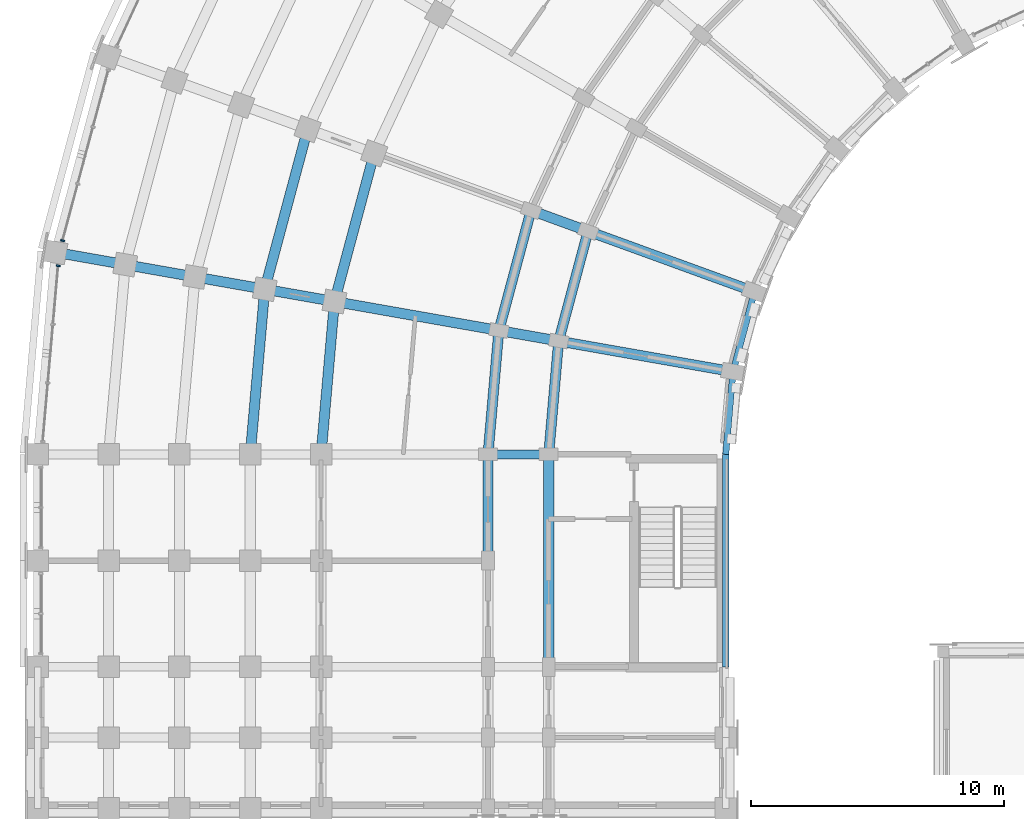
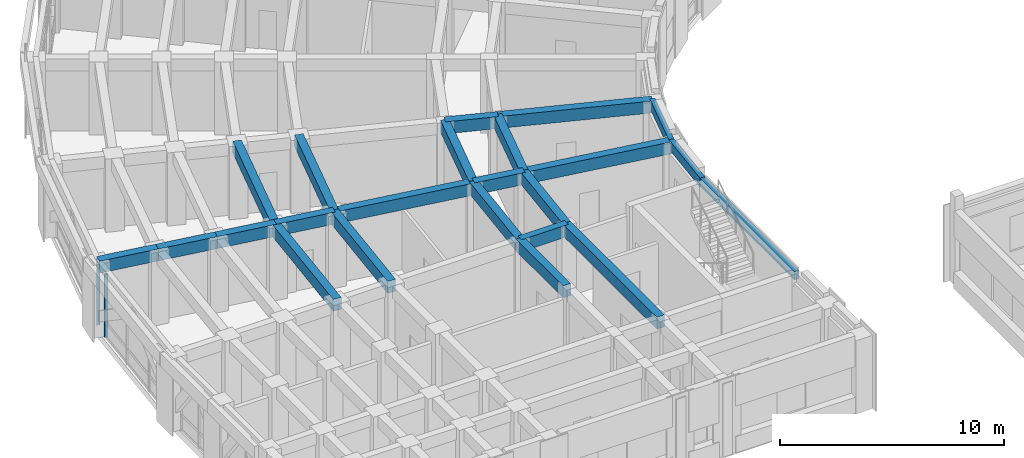
# One storey, part 19 of 97: 23 beams, 2 members, 2 elements without a shape of their own.
"""IFC4 building model written with IfcOpenShell, lengths in metres."""

from ifc_helpers import new_model, si_unit, direction, frame, origin, origin_2d, place, context, subcontext, project, spatial, rectangle, extrude, material, material_profile, profile_set, type_object, element, aggregate, save


model = new_model("IFC4")

# Units and contexts
model_context = context("Model", 3, precision=1e-05, world=origin(), true_north=direction((0.0, 1.0)))
body_context = subcontext(model_context, "Body", "Model", "MODEL_VIEW")
ifc_project = project(units=[si_unit("LENGTHUNIT", "METRE"), si_unit("AREAUNIT", "SQUARE_METRE"), si_unit("VOLUMEUNIT", "CUBIC_METRE"), si_unit("PLANEANGLEUNIT", "RADIAN"), si_unit("MASSUNIT", "GRAM", prefix="KILO")], contexts=[model_context])

# Site, building, storey
site_placement = place(None, origin())
site = spatial("IfcSite", under=ifc_project, at=site_placement, CompositionType="ELEMENT")
building_placement = place(site_placement, origin())
building = spatial("IfcBuilding", under=site, at=building_placement, Name="Kiranvali Square Residences", CompositionType="ELEMENT")
storey_placement = place(building_placement, frame((0.0, 0.0, 4.5)))
storey = spatial("IfcBuildingStorey", under=building, at=storey_placement, Name="L01", CompositionType="ELEMENT", Elevation=4.5)

# Beams
ifc_material_1 = material(Name="Concrete M40 (40 MPa)", Category="concrete")
ifc_material_profile_1 = material_profile(ifc_material_1, rectangle(XDim=0.35009765625, YDim=0.64990234375, at=origin_2d()), Name="RC 350x650")
ifc_profile_set_1 = profile_set([ifc_material_profile_1], Name="Concrete M40 (40 MPa)")
beam_type_1 = type_object("IfcBeamType", Name="BM-M40-350x650", PredefinedType="BEAM", material=ifc_profile_set_1)
beam_1_placement = place(storey_placement, frame((22.39990234375, 87.800048828125, 3.655029296875), z_axis=(-1.0, 0.0, 0.0), x_axis=(0.0, -1.0, 0.0)))
element("IfcBeam", 1, at=beam_1_placement, inside=storey, type_object=beam_type_1, Name="L01 beam BM-A-L01-A2T0-12", PredefinedType="BEAM", context=body_context, shape_type="SweptSolid", body=[
    extrude(rectangle(XDim=0.35009765625, YDim=0.64990234375, at=origin_2d()), origin(), (0.0, 0.0, 1.0), 2.39990234375),
])
ifc_material_2 = material(Name="Concrete M45 (45 MPa)", Category="concrete")
ifc_material_profile_2 = material_profile(ifc_material_2, rectangle(XDim=0.39990234375, YDim=0.64990234375, at=origin_2d()), Name="RC 400x650")
ifc_profile_set_2 = profile_set([ifc_material_profile_2], Name="Concrete M45 (45 MPa)")
beam_type_2 = type_object("IfcBeamType", Name="BM-M45-400x650", PredefinedType="BEAM", material=ifc_profile_set_2)
beam_2_placement = place(storey_placement, frame((23.955810546875, 96.6240234375, 3.655029296875), z_axis=(-0.258787642463, -0.965934240054, 0.0), x_axis=(0.965934240054, -0.258787642463, 0.0)))
element("IfcBeam", 2, at=beam_2_placement, inside=storey, type_object=beam_type_2, Name="L01 beam BM-A-L01-C07-R1", PredefinedType="BEAM", context=body_context, shape_type="SweptSolid", body=[
    extrude(rectangle(XDim=0.39990234375, YDim=0.64990234375, at=origin_2d()), origin(), (0.0, 0.0, 1.0), 4.497314453125),
])
beam_3_placement = place(storey_placement, frame((21.70068359375, 97.445068359375, 3.655029296875), z_axis=(-0.258803112091, -0.965930095386, 0.0), x_axis=(0.965930095386, -0.258803112091, 0.0)))
element("IfcBeam", 3, at=beam_3_placement, inside=storey, type_object=beam_type_2, Name="L01 beam BM-A-L01-C07-R2", PredefinedType="BEAM", context=body_context, shape_type="SweptSolid", body=[
    extrude(rectangle(XDim=0.39990234375, YDim=0.64990234375, at=origin_2d()), origin(), (0.0, 0.0, 1.0), 4.915771484375),
])
beam_4_placement = place(storey_placement, frame((15.498779296875, 99.702392578125, 3.655029296875), z_axis=(-0.258827283048, -0.965923618901, 0.0), x_axis=(0.965923618901, -0.258827283048, 0.0)))
element("IfcBeam", 4, at=beam_4_placement, inside=storey, type_object=beam_type_2, Name="L01 beam BM-A-L01-C07-R3", PredefinedType="BEAM", context=body_context, shape_type="SweptSolid", body=[
    extrude(rectangle(XDim=0.39990234375, YDim=0.64990234375, at=origin_2d()), origin(), (0.0, 0.0, 1.0), 6.066162109375),
])
beam_5_placement = place(storey_placement, frame((12.86767578125, 100.659912109375, 3.655029296875), z_axis=(-0.258847178297, -0.965918287583, 0.0), x_axis=(0.965918287583, -0.258847178297, 0.0)))
element("IfcBeam", 5, at=beam_5_placement, inside=storey, type_object=beam_type_2, Name="L01 beam BM-A-L01-C07-R4", PredefinedType="BEAM", context=body_context, shape_type="SweptSolid", body=[
    extrude(rectangle(XDim=0.39990234375, YDim=0.64990234375, at=origin_2d()), origin(), (0.0, 0.0, 1.0), 6.55419921875),
])
beam_6_placement = place(storey_placement, frame((22.7919921875, 92.280029296875, 3.655029296875), z_axis=(-0.087187153726, -0.996191949488, 0.0), x_axis=(0.996191949488, -0.087187153726, 0.0)))
element("IfcBeam", 6, at=beam_6_placement, inside=storey, type_object=beam_type_2, Name="L01 beam BM-A-L01-C08-R1", PredefinedType="BEAM", context=body_context, shape_type="SweptSolid", body=[
    extrude(rectangle(XDim=0.39990234375, YDim=0.64990234375, at=origin_2d()), origin(), (0.0, 0.0, 1.0), 4.4970703125),
])
beam_7_placement = place(storey_placement, frame((20.428466796875, 92.69677734375, 3.655029296875), z_axis=(-0.087167566415, -0.996193663584, 0.0), x_axis=(0.996193663584, -0.087167566415, 0.0)))
element("IfcBeam", 7, at=beam_7_placement, inside=storey, type_object=beam_type_2, Name="L01 beam BM-A-L01-C08-R2", PredefinedType="BEAM", context=body_context, shape_type="SweptSolid", body=[
    extrude(rectangle(XDim=0.39990234375, YDim=0.64990234375, at=origin_2d()), origin(), (0.0, 0.0, 1.0), 4.91552734375),
])
beam_8_placement = place(storey_placement, frame((13.9287109375, 93.843017578125, 3.655029296875), z_axis=(-0.087174938512, -0.996193018494, 0.0), x_axis=(0.996193018494, -0.087174938512, 0.0)))
element("IfcBeam", 8, at=beam_8_placement, inside=storey, type_object=beam_type_2, Name="L01 beam BM-A-L01-C08-R3", PredefinedType="BEAM", context=body_context, shape_type="SweptSolid", body=[
    extrude(rectangle(XDim=0.39990234375, YDim=0.64990234375, at=origin_2d()), origin(), (0.0, 0.0, 1.0), 6.066162109375),
])
beam_9_placement = place(storey_placement, frame((11.171142578125, 94.3291015625, 3.655029296875), z_axis=(-0.0871295204, -0.996196991902, 0.0), x_axis=(0.996196991902, -0.0871295204, 0.0)))
element("IfcBeam", 9, at=beam_9_placement, inside=storey, type_object=beam_type_2, Name="L01 beam BM-A-L01-C08-R4", PredefinedType="BEAM", context=body_context, shape_type="SweptSolid", body=[
    extrude(rectangle(XDim=0.39990234375, YDim=0.64990234375, at=origin_2d()), origin(), (0.0, 0.0, 1.0), 6.553955078125),
])
beam_10_placement = place(storey_placement, frame((30.53369140625, 94.22998046875, 3.655029296875), z_axis=(-0.939697665127, 0.342006283793, 0.0), x_axis=(-0.342006283793, -0.939697665127, 0.0)))
element("IfcBeam", 10, at=beam_10_placement, inside=storey, type_object=beam_type_2, Name="L01 beam BM-A-L01-RAD07-01", PredefinedType="BEAM", context=body_context, shape_type="SweptSolid", body=[
    extrude(rectangle(XDim=0.39990234375, YDim=0.64990234375, at=origin_2d()), origin(), (0.0, 0.0, 1.0), 7.0),
])
beam_11_placement = place(storey_placement, frame((23.955810546875, 96.6240234375, 3.655029296875), z_axis=(-0.939659694648, 0.342110593602, 0.0), x_axis=(-0.342110593602, -0.939659694648, 0.0)))
element("IfcBeam", 11, at=beam_11_placement, inside=storey, type_object=beam_type_2, Name="L01 beam BM-A-L01-RAD07-12", PredefinedType="BEAM", context=body_context, shape_type="SweptSolid", body=[
    extrude(rectangle(XDim=0.39990234375, YDim=0.64990234375, at=origin_2d()), origin(), (0.0, 0.0, 1.0), 2.39990234375),
])
beam_12_placement = place(storey_placement, frame((29.685546875, 91.064697265625, 3.655029296875), z_axis=(-0.984812337125, 0.173622177865, 0.0), x_axis=(-0.173622177865, -0.984812337125, 0.0)))
element("IfcBeam", 12, at=beam_12_placement, inside=storey, type_object=beam_type_2, Name="L01 beam BM-A-L01-RAD08-01", PredefinedType="BEAM", context=body_context, shape_type="SweptSolid", body=[
    extrude(rectangle(XDim=0.39990234375, YDim=0.64990234375, at=origin_2d()), origin(), (0.0, 0.0, 1.0), 6.999755859375),
])
beam_13_placement = place(storey_placement, frame((22.7919921875, 92.280029296875, 3.655029296875), z_axis=(-0.984808127031, 0.173646056486, 0.0), x_axis=(-0.173646056486, -0.984808127031, 0.0)))
element("IfcBeam", 13, at=beam_13_placement, inside=storey, type_object=beam_type_2, Name="L01 beam BM-A-L01-RAD08-12", PredefinedType="BEAM", context=body_context, shape_type="SweptSolid", body=[
    extrude(rectangle(XDim=0.39990234375, YDim=0.64990234375, at=origin_2d()), origin(), (0.0, 0.0, 1.0), 2.39990234375),
])
beam_14_placement = place(storey_placement, frame((20.428466796875, 92.69677734375, 3.655029296875), z_axis=(-0.984803661269, 0.173671381499, 0.0), x_axis=(-0.173671381499, -0.984803661269, 0.0)))
element("IfcBeam", 14, at=beam_14_placement, inside=storey, type_object=beam_type_2, Name="L01 beam BM-A-L01-RAD08-23", PredefinedType="BEAM", context=body_context, shape_type="SweptSolid", body=[
    extrude(rectangle(XDim=0.39990234375, YDim=0.64990234375, at=origin_2d()), origin(), (0.0, 0.0, 1.0), 6.60009765625),
])
beam_15_placement = place(storey_placement, frame((13.9287109375, 93.843017578125, 3.655029296875), z_axis=(-0.984816895441, 0.173596320392, 0.0), x_axis=(-0.173596320392, -0.984816895441, 0.0)))
element("IfcBeam", 15, at=beam_15_placement, inside=storey, type_object=beam_type_2, Name="L01 beam BM-A-L01-RAD08-34", PredefinedType="BEAM", context=body_context, shape_type="SweptSolid", body=[
    extrude(rectangle(XDim=0.39990234375, YDim=0.64990234375, at=origin_2d()), origin(), (0.0, 0.0, 1.0), 2.800048828125),
])
beam_16_placement = place(storey_placement, frame((11.171142578125, 94.3291015625, 3.655029296875), z_axis=(-0.984799355489, 0.173695795656, 0.0), x_axis=(-0.173695795656, -0.984799355489, 0.0)))
element("IfcBeam", 16, at=beam_16_placement, inside=storey, type_object=beam_type_2, Name="L01 beam BM-A-L01-RAD08-45", PredefinedType="BEAM", context=body_context, shape_type="SweptSolid", body=[
    extrude(rectangle(XDim=0.39990234375, YDim=0.64990234375, at=origin_2d()), origin(), (0.0, 0.0, 1.0), 2.7998046875),
])
beam_17_placement = place(storey_placement, frame((8.413818359375, 94.8154296875, 3.655029296875), z_axis=(-0.984816895441, 0.173596320392, 0.0), x_axis=(-0.173596320392, -0.984816895441, 0.0)))
element("IfcBeam", 17, at=beam_17_placement, inside=storey, type_object=beam_type_2, Name="L01 beam BM-A-L01-RAD08-56", PredefinedType="BEAM", context=body_context, shape_type="SweptSolid", body=[
    extrude(rectangle(XDim=0.39990234375, YDim=0.64990234375, at=origin_2d()), origin(), (0.0, 0.0, 1.0), 2.800048828125),
])
beam_18_placement = place(storey_placement, frame((5.65625, 95.301513671875, 3.655029296875), z_axis=(-0.984799355489, 0.173695795656, 0.0), x_axis=(-0.173695795656, -0.984799355489, 0.0)))
element("IfcBeam", 18, at=beam_18_placement, inside=storey, type_object=beam_type_2, Name="L01 beam BM-A-L01-RAD08-67", PredefinedType="BEAM", context=body_context, shape_type="SweptSolid", body=[
    extrude(rectangle(XDim=0.39990234375, YDim=0.64990234375, at=origin_2d()), origin(), (0.0, 0.0, 1.0), 2.7998046875),
])
beam_19_placement = place(storey_placement, frame((22.39990234375, 87.800048828125, 3.655029296875), z_axis=(0.0, -1.0, 0.0), x_axis=(1.0, 0.0, 0.0)))
element("IfcBeam", 19, at=beam_19_placement, inside=storey, type_object=beam_type_2, Name="L01 beam BM-A-L01-A2V0-R1", PredefinedType="BEAM", context=body_context, shape_type="SweptSolid", body=[
    extrude(rectangle(XDim=0.39990234375, YDim=0.64990234375, at=origin_2d()), origin(), (0.0, 0.0, 1.0), 8.400146484375),
])
beam_20_placement = place(storey_placement, frame((20.0, 87.800048828125, 3.655029296875), z_axis=(0.0, -1.0, 0.0), x_axis=(1.0, 0.0, 0.0)))
element("IfcBeam", 20, at=beam_20_placement, inside=storey, type_object=beam_type_2, Name="L01 beam BM-A-L01-A2V0-R2", PredefinedType="BEAM", context=body_context, shape_type="SweptSolid", body=[
    extrude(rectangle(XDim=0.39990234375, YDim=0.64990234375, at=origin_2d()), origin(), (0.0, 0.0, 1.0), 4.199951171875),
])

# Curtain wall, member
ifc_material_3 = material(Name="Anodised bronze aluminium framing", Category="aluminium")
curtain_wall_type = type_object("IfcCurtainWallType", Name="CW-RET-SHOP", PredefinedType="USERDEFINED", material=ifc_material_3)
curtain_wall_1_placement = place(storey_placement, origin())
curtain_wall_1 = element("IfcCurtainWall", 21, at=curtain_wall_1_placement, inside=storey, type_object=curtain_wall_type, Name="Block A L01 rounded-corner arcade curtain wall 8", ObjectType="CURTAIN WALL", PredefinedType="USERDEFINED")
ifc_material_profile_3 = material_profile(ifc_material_3, rectangle(XDim=0.06494140625, YDim=0.159912109375, at=origin_2d()), Name="ALU 65x160")
ifc_profile_set_3 = profile_set([ifc_material_profile_3], Name="Anodised bronze aluminium framing")
member_type = type_object("IfcMemberType", Name="CW-MUL-160", PredefinedType="MULLION", material=ifc_profile_set_3)
member_1_placement = place(storey_placement, frame((3.17822265625, 96.251220703125, 0.02001953125), z_axis=(0.0, 0.0, 1.0), x_axis=(-0.258819045103, -0.965925826289, 0.0)))
member_1 = element("IfcMember", 22, at=member_1_placement, type_object=member_type, Name="CW-A-L01-CRV-07 vertical mullion 4", PredefinedType="MULLION", context=body_context, shape_type="SweptSolid", body=[
    extrude(rectangle(XDim=0.06494140625, YDim=0.159912109375, at=origin_2d()), origin(), (0.0, 0.0, 1.0), 3.43994140625),
])
aggregate(curtain_wall_1, [member_1])

curtain_wall_2_placement = place(storey_placement, origin())
curtain_wall_2 = element("IfcCurtainWall", 23, at=curtain_wall_2_placement, inside=storey, type_object=curtain_wall_type, Name="Block A L01 rounded-corner arcade curtain wall 9", ObjectType="CURTAIN WALL", PredefinedType="USERDEFINED")
member_2_placement = place(storey_placement, frame((3.0029296875, 95.2568359375, 0.02001953125), z_axis=(0.0, 0.0, 1.0), x_axis=(-0.087155742748, -0.996194698092, 0.0)))
member_2 = element("IfcMember", 24, at=member_2_placement, type_object=member_type, Name="CW-A-L01-CRV-08 vertical mullion 1", PredefinedType="MULLION", context=body_context, shape_type="SweptSolid", body=[
    extrude(rectangle(XDim=0.06494140625, YDim=0.159912109375, at=origin_2d()), origin(), (0.0, 0.0, 1.0), 3.43994140625),
])
aggregate(curtain_wall_2, [member_2])

# Beams
ifc_material_profile_4 = material_profile(ifc_material_1, rectangle(XDim=0.25, YDim=0.449951171875, at=origin_2d()), Name="RC 250x450")
ifc_profile_set_4 = profile_set([ifc_material_profile_4], Name="Concrete M40 (40 MPa)")
beam_type_3 = type_object("IfcBeamType", Name="SPN-M40-250x450", PredefinedType="SPANDREL", material=ifc_profile_set_4)
beam_21_placement = place(storey_placement, frame((29.39990234375, 87.800048828125, 3.7548828125), z_axis=(0.0, -1.0, 0.0), x_axis=(1.0, 0.0, 0.0)))
element("IfcBeam", 25, at=beam_21_placement, inside=storey, type_object=beam_type_3, Name="L01 beam BM-A-L01-A2V0-R0", PredefinedType="SPANDREL", context=body_context, shape_type="SweptSolid", body=[
    extrude(rectangle(XDim=0.25, YDim=0.449951171875, at=origin_2d()), origin(), (0.0, 0.0, 1.0), 8.400146484375),
])
ifc_material_profile_5 = material_profile(ifc_material_1, rectangle(XDim=0.25, YDim=0.5, at=origin_2d()), Name="RC 250x500")
ifc_profile_set_5 = profile_set([ifc_material_profile_5], Name="Concrete M40 (40 MPa)")
beam_type_4 = type_object("IfcBeamType", Name="SPN-M40-250x500", PredefinedType="SPANDREL", material=ifc_profile_set_5)
beam_22_placement = place(storey_placement, frame((30.53369140625, 94.22998046875, 3.72998046875), z_axis=(-0.258821736607, -0.965925105099, 0.0), x_axis=(0.965925105099, -0.258821736607, 0.0)))
element("IfcBeam", 26, at=beam_22_placement, inside=storey, type_object=beam_type_4, Name="L01 beam BM-A-L01-C07-R0", PredefinedType="SPANDREL", context=body_context, shape_type="SweptSolid", body=[
    extrude(rectangle(XDim=0.25, YDim=0.5, at=origin_2d()), origin(), (0.0, 0.0, 1.0), 3.27685546875),
])
beam_23_placement = place(storey_placement, frame((29.685546875, 91.064697265625, 3.72998046875), z_axis=(-0.087163253657, -0.996194040944, 0.0), x_axis=(0.996194040944, -0.087163253657, 0.0)))
element("IfcBeam", 27, at=beam_23_placement, inside=storey, type_object=beam_type_4, Name="L01 beam BM-A-L01-C08-R0", PredefinedType="SPANDREL", context=body_context, shape_type="SweptSolid", body=[
    extrude(rectangle(XDim=0.25, YDim=0.5, at=origin_2d()), origin(), (0.0, 0.0, 1.0), 3.277099609375),
])

save(model, "model.ifc")
